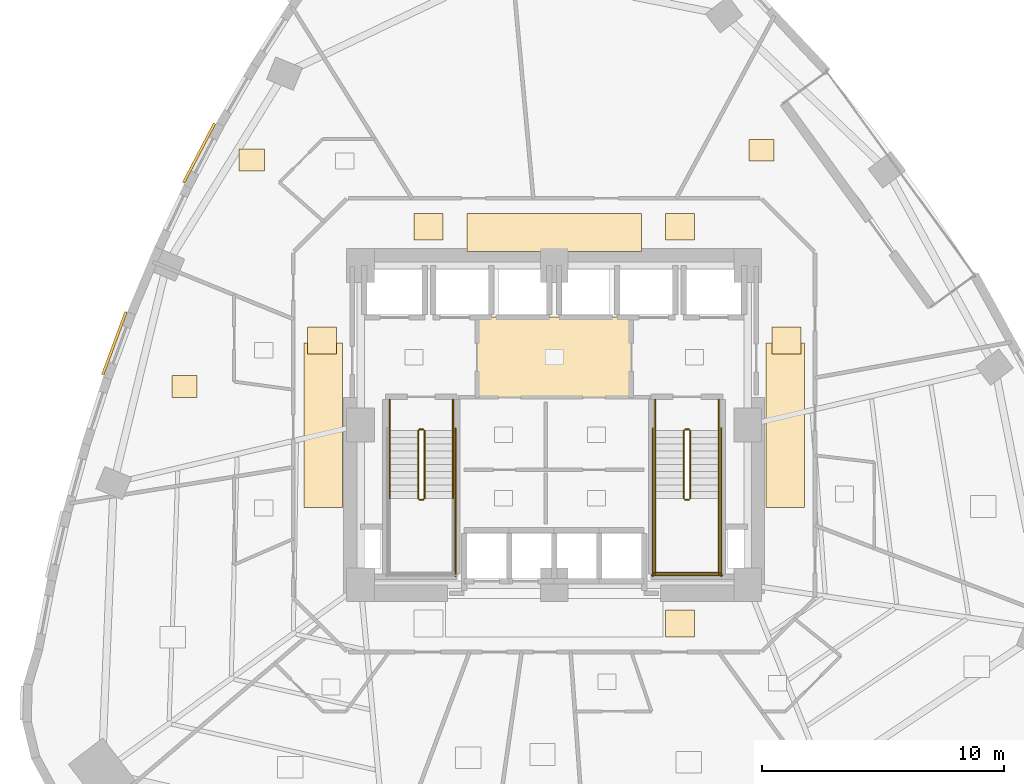
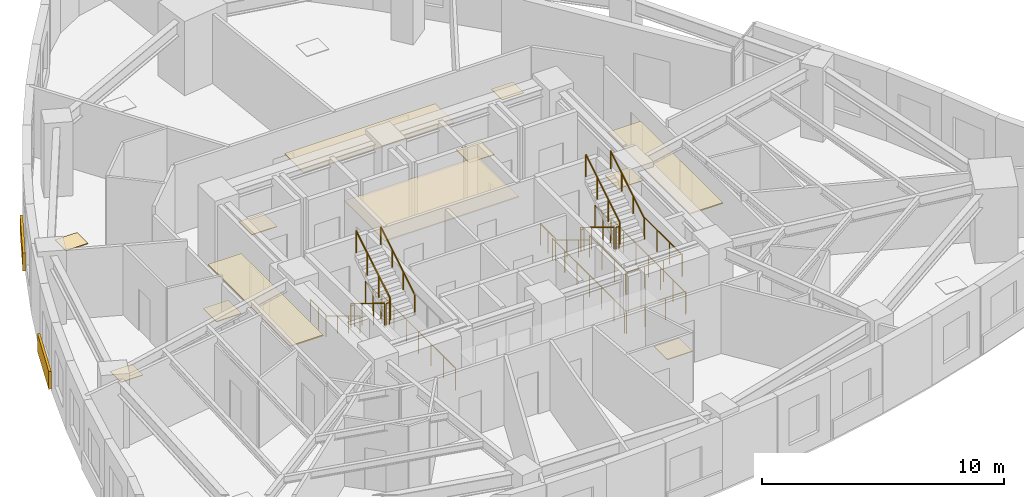
# One storey, part 14 of 15: 23 railings, 14 coverings.
"""IFC4 building model written with IfcOpenShell, lengths in metres."""

from ifc_helpers import new_model, si_unit, direction, frame, origin, origin_2d, place, context, subcontext, project, spatial, rectangle, circle, extrude, material, layer, layer_set, type_object, element, save


model = new_model("IFC4")

# Units and contexts
model_context = context("Model", 3, precision=1e-05, world=origin(), true_north=direction((0.0, 1.0)))
body_context = subcontext(model_context, "Body", "Model", "MODEL_VIEW")
ifc_project = project(units=[si_unit("LENGTHUNIT", "METRE"), si_unit("AREAUNIT", "SQUARE_METRE"), si_unit("VOLUMEUNIT", "CUBIC_METRE"), si_unit("PLANEANGLEUNIT", "RADIAN"), si_unit("MASSUNIT", "GRAM", prefix="KILO")], contexts=[model_context])

# Site, building, storey
site_placement = place(None, origin())
site = spatial("IfcSite", under=ifc_project, at=site_placement, CompositionType="ELEMENT")
building_placement = place(site_placement, origin())
building = spatial("IfcBuilding", under=site, at=building_placement, Name="Ndelora Gate Hotel", CompositionType="ELEMENT")
storey_placement = place(building_placement, frame((0.0, 0.0, 53.0)))
storey = spatial("IfcBuildingStorey", under=building, at=storey_placement, Name="L12", CompositionType="ELEMENT", Elevation=53.0)

# Coverings
ifc_material_1 = material(Name="Perforated Acoustic Gypsum Board", Category="gypsum")
ifc_layer_1 = layer(ifc_material_1, 0.054931640625)
ifc_layer_set_1 = layer_set([ifc_layer_1], Name="Perforated Acoustic Gypsum Board")
covering_type_1 = type_object("IfcCoveringType", Name="COV-CEIL-AC60", PredefinedType="CEILING", material=ifc_layer_set_1)
covering_1_placement = place(storey_placement, frame((0.0, 2.800048828125, 2.72265625), z_axis=(0.0, 0.0, 1.0), x_axis=(1.0, 0.0, 0.0)))
element("IfcCovering", 1, at=covering_1_placement, inside=storey, type_object=covering_type_1, Name="L12 Lift Lobby Acoustic Ceiling", PredefinedType="CEILING", context=body_context, shape_type="SweptSolid", body=[
    extrude(rectangle(XDim=6.39990234375, YDim=3.340087890625, at=origin_2d()), origin(), (0.0, 0.0, 1.0), 0.054931640625),
])
covering_2_placement = place(storey_placement, frame((0.0, 7.9599609375, 2.65234375), z_axis=(0.0, 0.0, 1.0), x_axis=(1.0, 0.0, 0.0)))
element("IfcCovering", 2, at=covering_2_placement, inside=storey, type_object=covering_type_1, Name="L12 Guest Corridor Acoustic Ceiling N", PredefinedType="CEILING", context=body_context, shape_type="SweptSolid", body=[
    extrude(rectangle(XDim=7.199951171875, YDim=1.580078125, at=origin_2d()), origin(), (0.0, 0.0, 1.0), 0.054931640625),
])
for number, where, z_axis, x_axis, name in (
    (3, (-9.550048828125, 0.0, 2.65234375), (0.0, 0.0, 1.0), (1.0, 0.0, 0.0), "L12 Guest Corridor Acoustic Ceiling W"),
    (4, (9.550048828125, 0.0, 2.65234375), (0.0, 0.0, 1.0), (1.0, 0.0, 0.0), "L12 Guest Corridor Acoustic Ceiling E"),
):
    element("IfcCovering", number, at=place(storey_placement, frame(where, z_axis=z_axis, x_axis=x_axis)), inside=storey, type_object=covering_type_1, Name=name, PredefinedType="CEILING", context=body_context, shape_type="SweptSolid", body=[
        extrude(rectangle(XDim=1.580078125, YDim=6.800048828125, at=origin_2d()), origin(), (0.0, 0.0, 1.0), 0.054931640625),
    ])
ifc_material_2 = material(Name="Terracotta Fired Clay Brick Slip Cladding", Category="masonry")
ifc_layer_2 = layer(ifc_material_2, 0.110107421875)
ifc_layer_set_2 = layer_set([ifc_layer_2], Name="Terracotta Fired Clay Brick Slip Cladding")
covering_type_2 = type_object("IfcCoveringType", Name="COV-CLAD-BRK", PredefinedType="CLADDING", material=ifc_layer_set_2)
for number, where, z_axis, x_axis, name in (
    (5, (-14.678955078125, 11.24609375, 0.10009765625), (0.0, 0.0, 1.0), (0.464378391008, 0.885636895101, 0.0), "L12 Rounded-Corner Brick Cladding Band 13"),
    (6, (-18.1796875, 3.38330078125, 0.10009765625), (0.0, 0.0, 1.0), (0.347426681491, 0.937707150974, 0.0), "L12 Rounded-Corner Brick Cladding Band 16"),
):
    element("IfcCovering", number, at=place(storey_placement, frame(where, z_axis=z_axis, x_axis=x_axis)), inside=storey, type_object=covering_type_2, Name=name, PredefinedType="CLADDING", context=body_context, shape_type="SweptSolid", body=[
        extrude(rectangle(XDim=2.764892578125, YDim=0.110107421875, at=origin_2d()), origin(), (0.0, 0.0, 1.0), 0.89990234375),
    ])
ifc_material_3 = material(Name="Engineered Highland Oak Parquet", Category="wood")
ifc_layer_3 = layer(ifc_material_3, 0.030029296875)
ifc_layer_set_3 = layer_set([ifc_layer_3], Name="Engineered Highland Oak Parquet")
covering_type_3 = type_object("IfcCoveringType", Name="COV-FLR-PARQ", PredefinedType="FLOORING", material=ifc_layer_set_3)
for number, where, z_axis, x_axis, name in (
    (7, (8.56787109375, 11.35693359375, 0.0), (0.0, 0.0, 1.0), (1.0, 0.0, 0.0), "L12 Sky Garden Tea Dining Room Oak Parquet Flooring"),
    (8, (-12.505615234375, 10.96142578125, 0.0), (0.0, 0.0, 1.0), (1.0, 0.0, 0.0), "L12 Corner Diplomatic Suite 1504 Oak Parquet Flooring"),
    (9, (-15.28125, 1.5927734375, 0.0), (0.0, 0.0, 1.0), (1.0, 0.0, 0.0), "L12 Executive King Guest Room 1505 Oak Parquet Flooring"),
):
    element("IfcCovering", number, at=place(storey_placement, frame(where, z_axis=z_axis, x_axis=x_axis)), inside=storey, type_object=covering_type_3, Name=name, PredefinedType="FLOORING", context=body_context, shape_type="SweptSolid", body=[
        extrude(rectangle(XDim=1.050048828125, YDim=0.89990234375, at=origin_2d()), origin(), (0.0, 0.0, 1.0), 0.030029296875),
    ])
ifc_material_4 = material(Name="Polished Highland Stone Terrazzo", Category="masonry")
ifc_layer_4 = layer(ifc_material_4, 0.034912109375)
ifc_layer_set_4 = layer_set([ifc_layer_4], Name="Polished Highland Stone Terrazzo")
covering_type_4 = type_object("IfcCoveringType", Name="COV-FLR-TERZ", PredefinedType="FLOORING", material=ifc_layer_set_4)
for number, where, z_axis, x_axis, name in (
    (10, (-5.199951171875, 8.199951171875, 0.0), (0.0, 0.0, 1.0), (1.0, 0.0, 0.0), "L12 Corridor Threshold Terrazzo Inlay NW"),
    (11, (5.199951171875, 8.199951171875, 0.0), (0.0, 0.0, 1.0), (1.0, 0.0, 0.0), "L12 Corridor Threshold Terrazzo Inlay NE"),
    (12, (-9.60009765625, 3.5, 0.0), (0.0, 0.0, 1.0), (1.0, 0.0, 0.0), "L12 Corridor Threshold Terrazzo Inlay W"),
    (13, (9.60009765625, 3.5, 0.0), (0.0, 0.0, 1.0), (1.0, 0.0, 0.0), "L12 Corridor Threshold Terrazzo Inlay E"),
    (14, (5.199951171875, -8.199951171875, 0.0), (0.0, 0.0, 1.0), (1.0, 0.0, 0.0), "L12 Corridor Threshold Terrazzo Inlay SE"),
):
    element("IfcCovering", number, at=place(storey_placement, frame(where, z_axis=z_axis, x_axis=x_axis)), inside=storey, type_object=covering_type_4, Name=name, PredefinedType="FLOORING", context=body_context, shape_type="SweptSolid", body=[
        extrude(rectangle(XDim=1.199951171875, YDim=1.10009765625, at=origin_2d()), origin(), (0.0, 0.0, 1.0), 0.034912109375),
    ])

# Railings
ifc_material_5 = material(Name="Painted Galvanized Steel Balustrade", Category="steel")
ifc_layer_5 = layer(ifc_material_5, 0.06005859375)
ifc_layer_set_5 = layer_set([ifc_layer_5], Name="Painted Galvanized Steel Balustrade")
railing_type_1 = type_object("IfcRailingType", Name="RL-STAIR-GD", PredefinedType="GUARDRAIL", material=ifc_layer_set_5)
railing_1_placement = place(storey_placement, frame((-5.6201171875, -0.22998046875, 0.17041015625)))
element("IfcRailing", 15, at=railing_1_placement, inside=storey, type_object=railing_type_1, Name="L12 ST4 stair guard 1", PredefinedType="GUARDRAIL", context=body_context, shape_type="SweptSolid", body=[
    extrude(circle(Radius=0.02392578125, at=origin_2d()), frame((0.0, 0.0, 1.10595703125), z_axis=(0.0, -0.854169791009, 0.51999420009), x_axis=(1.0, 0.0, 0.0)), (0.0, 0.0, 1.0), 3.278076171875),
    extrude(circle(Radius=0.02099609375, at=origin_2d()), origin(), (0.0, 0.0, 1.0), 1.081787109375),
    extrude(circle(Radius=0.02099609375, at=origin_2d()), frame((0.0, -0.933349609375, 0.568115234375)), (0.0, 0.0, 1.0), 1.081787109375),
    extrude(circle(Radius=0.02099609375, at=origin_2d()), frame((0.0, -1.86669921875, 1.136474609375)), (0.0, 0.0, 1.0), 1.081787109375),
    extrude(circle(Radius=0.02099609375, at=origin_2d()), frame((0.0, -2.800048828125, 1.70458984375)), (0.0, 0.0, 1.0), 1.081787109375),
])
railing_2_placement = place(storey_placement, frame((-5.570068359375, -3.080078125, 1.875)))
element("IfcRailing", 16, at=railing_2_placement, inside=storey, type_object=railing_type_1, Name="L12 ST4 stair guard 2", PredefinedType="GUARDRAIL", context=body_context, shape_type="SweptSolid", body=[
    extrude(circle(Radius=0.02392578125, at=origin_2d()), frame((0.0, 0.0, 1.10595703125), z_axis=(1.0, 0.0, 0.0), x_axis=(0.0, 1.0, 0.0)), (0.0, 0.0, 1.0), 0.16015625),
    extrude(circle(Radius=0.02099609375, at=origin_2d()), origin(), (0.0, 0.0, 1.0), 1.081787109375),
    extrude(circle(Radius=0.02099609375, at=origin_2d()), frame((0.16015625, 0.0, 0.0)), (0.0, 0.0, 1.0), 1.081787109375),
])
railing_3_placement = place(storey_placement, frame((-5.360107421875, -3.030029296875, 2.04541015625)))
element("IfcRailing", 17, at=railing_3_placement, inside=storey, type_object=railing_type_1, Name="L12 ST4 stair guard 6", PredefinedType="GUARDRAIL", context=body_context, shape_type="SweptSolid", body=[
    extrude(circle(Radius=0.02392578125, at=origin_2d()), frame((0.0, 0.0, 1.10595703125), z_axis=(0.0, 0.854169791009, 0.51999420009), x_axis=(-1.0, 0.0, 0.0)), (0.0, 0.0, 1.0), 3.278076171875),
    extrude(circle(Radius=0.02099609375, at=origin_2d()), origin(), (0.0, 0.0, 1.0), 1.081787109375),
    extrude(circle(Radius=0.02099609375, at=origin_2d()), frame((0.0, 0.933349609375, 0.568115234375)), (0.0, 0.0, 1.0), 1.081787109375),
    extrude(circle(Radius=0.02099609375, at=origin_2d()), frame((0.0, 1.86669921875, 1.136474609375)), (0.0, 0.0, 1.0), 1.081787109375),
    extrude(circle(Radius=0.02099609375, at=origin_2d()), frame((0.0, 2.800048828125, 1.70458984375)), (0.0, 0.0, 1.0), 1.081787109375),
])
railing_4_placement = place(storey_placement, frame((-5.570068359375, -0.179931640625, 0.0)))
element("IfcRailing", 18, at=railing_4_placement, inside=storey, type_object=railing_type_1, Name="L12 ST4 stair guard 7", PredefinedType="GUARDRAIL", context=body_context, shape_type="SweptSolid", body=[
    extrude(circle(Radius=0.02392578125, at=origin_2d()), frame((0.0, 0.0, 1.10595703125), z_axis=(1.0, 0.0, 0.0), x_axis=(0.0, 1.0, 0.0)), (0.0, 0.0, 1.0), 0.16015625),
    extrude(circle(Radius=0.02099609375, at=origin_2d()), origin(), (0.0, 0.0, 1.0), 1.081787109375),
    extrude(circle(Radius=0.02099609375, at=origin_2d()), frame((0.16015625, 0.0, 0.0)), (0.0, 0.0, 1.0), 1.081787109375),
])
for number, where, name in (
    (19, (-6.800048828125, 1.050048828125, 0.0), "L12 ST4 stair guard 8"),
    (20, (-4.179931640625, 1.050048828125, 0.0), "L12 ST4 stair guard 9"),
):
    element("IfcRailing", number, at=place(storey_placement, frame(where)), inside=storey, type_object=railing_type_1, Name=name, PredefinedType="GUARDRAIL", context=body_context, shape_type="SweptSolid", body=[
        extrude(circle(Radius=0.02392578125, at=origin_2d()), frame((0.0, 0.0, 1.10595703125), z_axis=(0.0, -1.0, 0.0), x_axis=(1.0, 0.0, 0.0)), (0.0, 0.0, 1.0), 1.280029296875),
        extrude(circle(Radius=0.02099609375, at=origin_2d()), origin(), (0.0, 0.0, 1.0), 1.081787109375),
        extrude(circle(Radius=0.02099609375, at=origin_2d()), frame((0.0, -0.64013671875, 0.0)), (0.0, 0.0, 1.0), 1.081787109375),
        extrude(circle(Radius=0.02099609375, at=origin_2d()), frame((0.0, -1.280029296875, 0.0)), (0.0, 0.0, 1.0), 1.081787109375),
    ])
railing_5_placement = place(storey_placement, frame((-4.080078125, -0.1298828125, 0.0)))
element("IfcRailing", 21, at=railing_5_placement, inside=storey, type_object=railing_type_1, Name="L12 ST4 stair guard 11", PredefinedType="GUARDRAIL", context=body_context, shape_type="SweptSolid", body=[
    extrude(circle(Radius=0.02392578125, at=origin_2d()), frame((0.0, 0.0, 1.10595703125), z_axis=(0.0, -1.0, 0.0), x_axis=(1.0, 0.0, 0.0)), (0.0, 0.0, 1.0), 6.1201171875),
    extrude(circle(Radius=0.02099609375, at=origin_2d()), origin(), (0.0, 0.0, 1.0), 1.081787109375),
    extrude(circle(Radius=0.02099609375, at=origin_2d()), frame((0.0, -1.02001953125, 0.0)), (0.0, 0.0, 1.0), 1.081787109375),
    extrude(circle(Radius=0.02099609375, at=origin_2d()), frame((0.0, -2.0400390625, 0.0)), (0.0, 0.0, 1.0), 1.081787109375),
    extrude(circle(Radius=0.02099609375, at=origin_2d()), frame((0.0, -3.06005859375, 0.0)), (0.0, 0.0, 1.0), 1.081787109375),
    extrude(circle(Radius=0.02099609375, at=origin_2d()), frame((0.0, -4.080078125, 0.0)), (0.0, 0.0, 1.0), 1.081787109375),
    extrude(circle(Radius=0.02099609375, at=origin_2d()), frame((0.0, -5.10009765625, 0.0)), (0.0, 0.0, 1.0), 1.081787109375),
    extrude(circle(Radius=0.02099609375, at=origin_2d()), frame((0.0, -6.1201171875, 0.0)), (0.0, 0.0, 1.0), 1.081787109375),
])
railing_6_placement = place(storey_placement, frame((5.360107421875, -0.22998046875, 0.17041015625)))
element("IfcRailing", 22, at=railing_6_placement, inside=storey, type_object=railing_type_1, Name="L12 ST5 stair guard 1", PredefinedType="GUARDRAIL", context=body_context, shape_type="SweptSolid", body=[
    extrude(circle(Radius=0.02392578125, at=origin_2d()), frame((0.0, 0.0, 1.10595703125), z_axis=(0.0, -0.854169791009, 0.51999420009), x_axis=(1.0, 0.0, 0.0)), (0.0, 0.0, 1.0), 3.278076171875),
    extrude(circle(Radius=0.02099609375, at=origin_2d()), origin(), (0.0, 0.0, 1.0), 1.081787109375),
    extrude(circle(Radius=0.02099609375, at=origin_2d()), frame((0.0, -0.933349609375, 0.568115234375)), (0.0, 0.0, 1.0), 1.081787109375),
    extrude(circle(Radius=0.02099609375, at=origin_2d()), frame((0.0, -1.86669921875, 1.136474609375)), (0.0, 0.0, 1.0), 1.081787109375),
    extrude(circle(Radius=0.02099609375, at=origin_2d()), frame((0.0, -2.800048828125, 1.70458984375)), (0.0, 0.0, 1.0), 1.081787109375),
])
railing_7_placement = place(storey_placement, frame((5.409912109375, -3.080078125, 1.875)))
element("IfcRailing", 23, at=railing_7_placement, inside=storey, type_object=railing_type_1, Name="L12 ST5 stair guard 2", PredefinedType="GUARDRAIL", context=body_context, shape_type="SweptSolid", body=[
    extrude(circle(Radius=0.02392578125, at=origin_2d()), frame((0.0, 0.0, 1.10595703125), z_axis=(1.0, 0.0, 0.0), x_axis=(0.0, 1.0, 0.0)), (0.0, 0.0, 1.0), 0.16015625),
    extrude(circle(Radius=0.02099609375, at=origin_2d()), origin(), (0.0, 0.0, 1.0), 1.081787109375),
    extrude(circle(Radius=0.02099609375, at=origin_2d()), frame((0.16015625, 0.0, 0.0)), (0.0, 0.0, 1.0), 1.081787109375),
])
for number, where, name in (
    (24, (4.179931640625, -3.030029296875, 1.875), "L12 ST5 stair guard 3"),
    (25, (6.800048828125, -3.030029296875, 1.875), "L12 ST5 stair guard 4"),
):
    element("IfcRailing", number, at=place(storey_placement, frame(where)), inside=storey, type_object=railing_type_1, Name=name, PredefinedType="GUARDRAIL", context=body_context, shape_type="SweptSolid", body=[
        extrude(circle(Radius=0.02392578125, at=origin_2d()), frame((0.0, 0.0, 1.10595703125), z_axis=(0.0, -1.0, 0.0), x_axis=(1.0, 0.0, 0.0)), (0.0, 0.0, 1.0), 3.119873046875),
        extrude(circle(Radius=0.02099609375, at=origin_2d()), origin(), (0.0, 0.0, 1.0), 1.081787109375),
        extrude(circle(Radius=0.02099609375, at=origin_2d()), frame((0.0, -1.0400390625, 0.0)), (0.0, 0.0, 1.0), 1.081787109375),
        extrude(circle(Radius=0.02099609375, at=origin_2d()), frame((0.0, -2.079833984375, 0.0)), (0.0, 0.0, 1.0), 1.081787109375),
        extrude(circle(Radius=0.02099609375, at=origin_2d()), frame((0.0, -3.119873046875, 0.0)), (0.0, 0.0, 1.0), 1.081787109375),
    ])
railing_8_placement = place(storey_placement, frame((4.1298828125, -6.10009765625, 1.875)))
element("IfcRailing", 26, at=railing_8_placement, inside=storey, type_object=railing_type_1, Name="L12 ST5 stair guard 5", PredefinedType="GUARDRAIL", context=body_context, shape_type="SweptSolid", body=[
    extrude(circle(Radius=0.02392578125, at=origin_2d()), frame((0.0, 0.0, 1.10595703125), z_axis=(1.0, 0.0, 0.0), x_axis=(0.0, 1.0, 0.0)), (0.0, 0.0, 1.0), 2.72021484375),
    extrude(circle(Radius=0.02099609375, at=origin_2d()), origin(), (0.0, 0.0, 1.0), 1.081787109375),
    extrude(circle(Radius=0.02099609375, at=origin_2d()), frame((0.90673828125, 0.0, 0.0)), (0.0, 0.0, 1.0), 1.081787109375),
    extrude(circle(Radius=0.02099609375, at=origin_2d()), frame((1.8134765625, 0.0, 0.0)), (0.0, 0.0, 1.0), 1.081787109375),
    extrude(circle(Radius=0.02099609375, at=origin_2d()), frame((2.72021484375, 0.0, 0.0)), (0.0, 0.0, 1.0), 1.081787109375),
])
railing_9_placement = place(storey_placement, frame((5.6201171875, -3.030029296875, 2.04541015625)))
element("IfcRailing", 27, at=railing_9_placement, inside=storey, type_object=railing_type_1, Name="L12 ST5 stair guard 6", PredefinedType="GUARDRAIL", context=body_context, shape_type="SweptSolid", body=[
    extrude(circle(Radius=0.02392578125, at=origin_2d()), frame((0.0, 0.0, 1.10595703125), z_axis=(0.0, 0.854169791009, 0.51999420009), x_axis=(-1.0, 0.0, 0.0)), (0.0, 0.0, 1.0), 3.278076171875),
    extrude(circle(Radius=0.02099609375, at=origin_2d()), origin(), (0.0, 0.0, 1.0), 1.081787109375),
    extrude(circle(Radius=0.02099609375, at=origin_2d()), frame((0.0, 0.933349609375, 0.568115234375)), (0.0, 0.0, 1.0), 1.081787109375),
    extrude(circle(Radius=0.02099609375, at=origin_2d()), frame((0.0, 1.86669921875, 1.136474609375)), (0.0, 0.0, 1.0), 1.081787109375),
    extrude(circle(Radius=0.02099609375, at=origin_2d()), frame((0.0, 2.800048828125, 1.70458984375)), (0.0, 0.0, 1.0), 1.081787109375),
])
railing_10_placement = place(storey_placement, frame((5.409912109375, -0.179931640625, 0.0)))
element("IfcRailing", 28, at=railing_10_placement, inside=storey, type_object=railing_type_1, Name="L12 ST5 stair guard 7", PredefinedType="GUARDRAIL", context=body_context, shape_type="SweptSolid", body=[
    extrude(circle(Radius=0.02392578125, at=origin_2d()), frame((0.0, 0.0, 1.10595703125), z_axis=(1.0, 0.0, 0.0), x_axis=(0.0, 1.0, 0.0)), (0.0, 0.0, 1.0), 0.16015625),
    extrude(circle(Radius=0.02099609375, at=origin_2d()), origin(), (0.0, 0.0, 1.0), 1.081787109375),
    extrude(circle(Radius=0.02099609375, at=origin_2d()), frame((0.16015625, 0.0, 0.0)), (0.0, 0.0, 1.0), 1.081787109375),
])
for number, where, name in (
    (29, (4.179931640625, 1.050048828125, 0.0), "L12 ST5 stair guard 8"),
    (30, (6.800048828125, 1.050048828125, 0.0), "L12 ST5 stair guard 9"),
):
    element("IfcRailing", number, at=place(storey_placement, frame(where)), inside=storey, type_object=railing_type_1, Name=name, PredefinedType="GUARDRAIL", context=body_context, shape_type="SweptSolid", body=[
        extrude(circle(Radius=0.02392578125, at=origin_2d()), frame((0.0, 0.0, 1.10595703125), z_axis=(0.0, -1.0, 0.0), x_axis=(1.0, 0.0, 0.0)), (0.0, 0.0, 1.0), 1.280029296875),
        extrude(circle(Radius=0.02099609375, at=origin_2d()), origin(), (0.0, 0.0, 1.0), 1.081787109375),
        extrude(circle(Radius=0.02099609375, at=origin_2d()), frame((0.0, -0.64013671875, 0.0)), (0.0, 0.0, 1.0), 1.081787109375),
        extrude(circle(Radius=0.02099609375, at=origin_2d()), frame((0.0, -1.280029296875, 0.0)), (0.0, 0.0, 1.0), 1.081787109375),
    ])
for number, where, name in (
    (31, (4.080078125, -0.1298828125, 0.0), "L12 ST5 stair guard 10"),
    (32, (6.89990234375, -0.1298828125, 0.0), "L12 ST5 stair guard 11"),
):
    element("IfcRailing", number, at=place(storey_placement, frame(where)), inside=storey, type_object=railing_type_1, Name=name, PredefinedType="GUARDRAIL", context=body_context, shape_type="SweptSolid", body=[
        extrude(circle(Radius=0.02392578125, at=origin_2d()), frame((0.0, 0.0, 1.10595703125), z_axis=(0.0, -1.0, 0.0), x_axis=(1.0, 0.0, 0.0)), (0.0, 0.0, 1.0), 6.1201171875),
        extrude(circle(Radius=0.02099609375, at=origin_2d()), origin(), (0.0, 0.0, 1.0), 1.081787109375),
        extrude(circle(Radius=0.02099609375, at=origin_2d()), frame((0.0, -1.02001953125, 0.0)), (0.0, 0.0, 1.0), 1.081787109375),
        extrude(circle(Radius=0.02099609375, at=origin_2d()), frame((0.0, -2.0400390625, 0.0)), (0.0, 0.0, 1.0), 1.081787109375),
        extrude(circle(Radius=0.02099609375, at=origin_2d()), frame((0.0, -3.06005859375, 0.0)), (0.0, 0.0, 1.0), 1.081787109375),
        extrude(circle(Radius=0.02099609375, at=origin_2d()), frame((0.0, -4.080078125, 0.0)), (0.0, 0.0, 1.0), 1.081787109375),
        extrude(circle(Radius=0.02099609375, at=origin_2d()), frame((0.0, -5.10009765625, 0.0)), (0.0, 0.0, 1.0), 1.081787109375),
        extrude(circle(Radius=0.02099609375, at=origin_2d()), frame((0.0, -6.1201171875, 0.0)), (0.0, 0.0, 1.0), 1.081787109375),
    ])
railing_11_placement = place(storey_placement, frame((4.030029296875, -6.199951171875, 0.0)))
element("IfcRailing", 33, at=railing_11_placement, inside=storey, type_object=railing_type_1, Name="L12 ST5 stair guard 12", PredefinedType="GUARDRAIL", context=body_context, shape_type="SweptSolid", body=[
    extrude(circle(Radius=0.02392578125, at=origin_2d()), frame((0.0, 0.0, 1.10595703125), z_axis=(1.0, 0.0, 0.0), x_axis=(0.0, 1.0, 0.0)), (0.0, 0.0, 1.0), 2.919921875),
    extrude(circle(Radius=0.02099609375, at=origin_2d()), origin(), (0.0, 0.0, 1.0), 1.081787109375),
    extrude(circle(Radius=0.02099609375, at=origin_2d()), frame((0.973388671875, 0.0, 0.0)), (0.0, 0.0, 1.0), 1.081787109375),
    extrude(circle(Radius=0.02099609375, at=origin_2d()), frame((1.946533203125, 0.0, 0.0)), (0.0, 0.0, 1.0), 1.081787109375),
    extrude(circle(Radius=0.02099609375, at=origin_2d()), frame((2.919921875, 0.0, 0.0)), (0.0, 0.0, 1.0), 1.081787109375),
])
ifc_material_6 = material(Name="Brushed Stainless Steel 316", Category="steel")
ifc_layer_6 = layer(ifc_material_6, 0.050048828125)
ifc_layer_set_6 = layer_set([ifc_layer_6], Name="Brushed Stainless Steel 316")
railing_type_2 = type_object("IfcRailingType", Name="RL-STAIR-HR", PredefinedType="HANDRAIL", material=ifc_layer_set_6)
railing_12_placement = place(storey_placement, frame((-6.800048828125, -0.22998046875, 0.17041015625)))
element("IfcRailing", 34, at=railing_12_placement, inside=storey, type_object=railing_type_2, Name="L12 ST4 stair handrail 1", PredefinedType="HANDRAIL", context=body_context, shape_type="SweptSolid", body=[
    extrude(circle(Radius=0.02392578125, at=origin_2d()), frame((0.0, 0.0, 0.8759765625), z_axis=(0.0, -0.854169791009, 0.51999420009), x_axis=(1.0, 0.0, 0.0)), (0.0, 0.0, 1.0), 3.278076171875),
    extrude(circle(Radius=0.02099609375, at=origin_2d()), origin(), (0.0, 0.0, 1.0), 0.851806640625),
    extrude(circle(Radius=0.02099609375, at=origin_2d()), frame((0.0, -0.933349609375, 0.568115234375)), (0.0, 0.0, 1.0), 0.851806640625),
    extrude(circle(Radius=0.02099609375, at=origin_2d()), frame((0.0, -1.86669921875, 1.136474609375)), (0.0, 0.0, 1.0), 0.851806640625),
    extrude(circle(Radius=0.02099609375, at=origin_2d()), frame((0.0, -2.800048828125, 1.70458984375)), (0.0, 0.0, 1.0), 0.851806640625),
])
railing_13_placement = place(storey_placement, frame((-4.179931640625, -3.030029296875, 2.04541015625)))
element("IfcRailing", 35, at=railing_13_placement, inside=storey, type_object=railing_type_2, Name="L12 ST4 stair handrail 2", PredefinedType="HANDRAIL", context=body_context, shape_type="SweptSolid", body=[
    extrude(circle(Radius=0.02392578125, at=origin_2d()), frame((0.0, 0.0, 0.8759765625), z_axis=(0.0, 0.854169791009, 0.51999420009), x_axis=(-1.0, 0.0, 0.0)), (0.0, 0.0, 1.0), 3.278076171875),
    extrude(circle(Radius=0.02099609375, at=origin_2d()), origin(), (0.0, 0.0, 1.0), 0.851806640625),
    extrude(circle(Radius=0.02099609375, at=origin_2d()), frame((0.0, 0.933349609375, 0.568115234375)), (0.0, 0.0, 1.0), 0.851806640625),
    extrude(circle(Radius=0.02099609375, at=origin_2d()), frame((0.0, 1.86669921875, 1.136474609375)), (0.0, 0.0, 1.0), 0.851806640625),
    extrude(circle(Radius=0.02099609375, at=origin_2d()), frame((0.0, 2.800048828125, 1.70458984375)), (0.0, 0.0, 1.0), 0.851806640625),
])
railing_14_placement = place(storey_placement, frame((4.179931640625, -0.22998046875, 0.17041015625)))
element("IfcRailing", 36, at=railing_14_placement, inside=storey, type_object=railing_type_2, Name="L12 ST5 stair handrail 1", PredefinedType="HANDRAIL", context=body_context, shape_type="SweptSolid", body=[
    extrude(circle(Radius=0.02392578125, at=origin_2d()), frame((0.0, 0.0, 0.8759765625), z_axis=(0.0, -0.854169791009, 0.51999420009), x_axis=(1.0, 0.0, 0.0)), (0.0, 0.0, 1.0), 3.278076171875),
    extrude(circle(Radius=0.02099609375, at=origin_2d()), origin(), (0.0, 0.0, 1.0), 0.851806640625),
    extrude(circle(Radius=0.02099609375, at=origin_2d()), frame((0.0, -0.933349609375, 0.568115234375)), (0.0, 0.0, 1.0), 0.851806640625),
    extrude(circle(Radius=0.02099609375, at=origin_2d()), frame((0.0, -1.86669921875, 1.136474609375)), (0.0, 0.0, 1.0), 0.851806640625),
    extrude(circle(Radius=0.02099609375, at=origin_2d()), frame((0.0, -2.800048828125, 1.70458984375)), (0.0, 0.0, 1.0), 0.851806640625),
])
railing_15_placement = place(storey_placement, frame((6.800048828125, -3.030029296875, 2.04541015625)))
element("IfcRailing", 37, at=railing_15_placement, inside=storey, type_object=railing_type_2, Name="L12 ST5 stair handrail 2", PredefinedType="HANDRAIL", context=body_context, shape_type="SweptSolid", body=[
    extrude(circle(Radius=0.02392578125, at=origin_2d()), frame((0.0, 0.0, 0.8759765625), z_axis=(0.0, 0.854169791009, 0.51999420009), x_axis=(-1.0, 0.0, 0.0)), (0.0, 0.0, 1.0), 3.278076171875),
    extrude(circle(Radius=0.02099609375, at=origin_2d()), origin(), (0.0, 0.0, 1.0), 0.851806640625),
    extrude(circle(Radius=0.02099609375, at=origin_2d()), frame((0.0, 0.933349609375, 0.568115234375)), (0.0, 0.0, 1.0), 0.851806640625),
    extrude(circle(Radius=0.02099609375, at=origin_2d()), frame((0.0, 1.86669921875, 1.136474609375)), (0.0, 0.0, 1.0), 0.851806640625),
    extrude(circle(Radius=0.02099609375, at=origin_2d()), frame((0.0, 2.800048828125, 1.70458984375)), (0.0, 0.0, 1.0), 0.851806640625),
])

save(model, "model.ifc")
